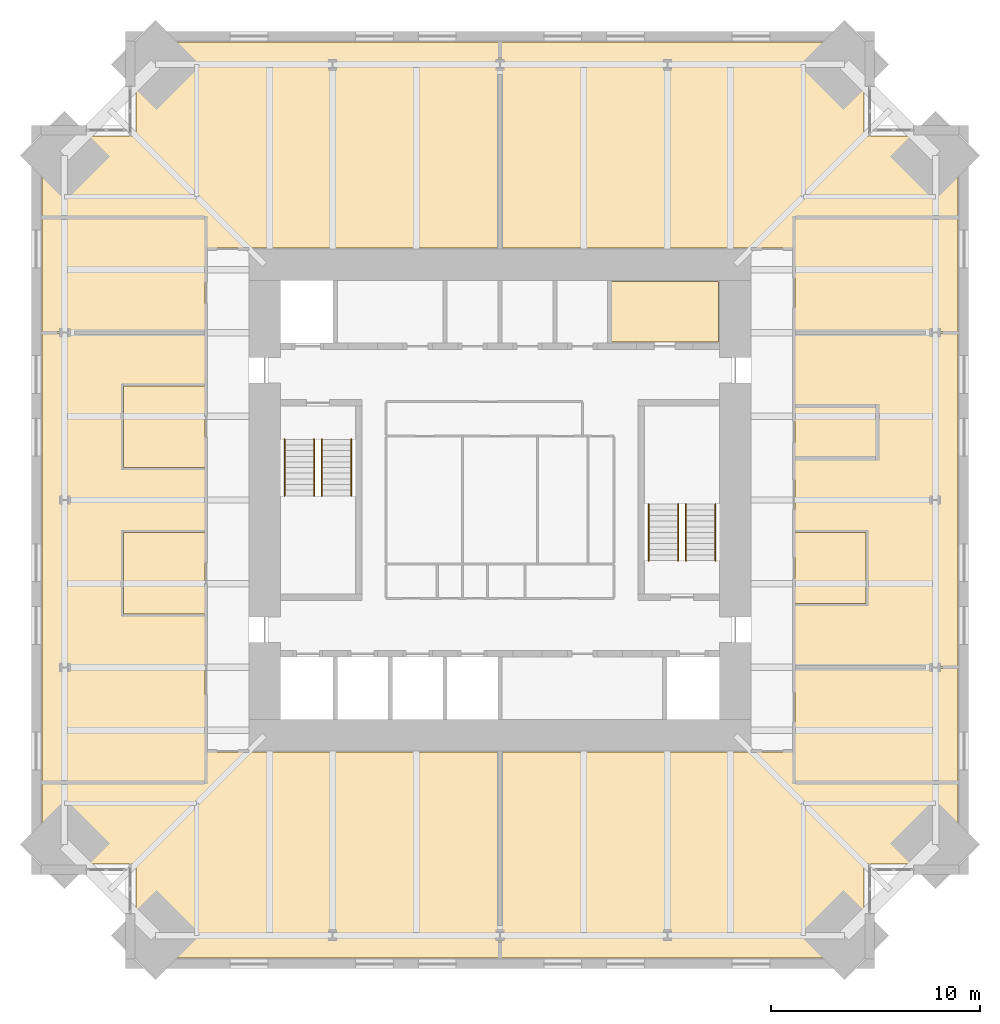
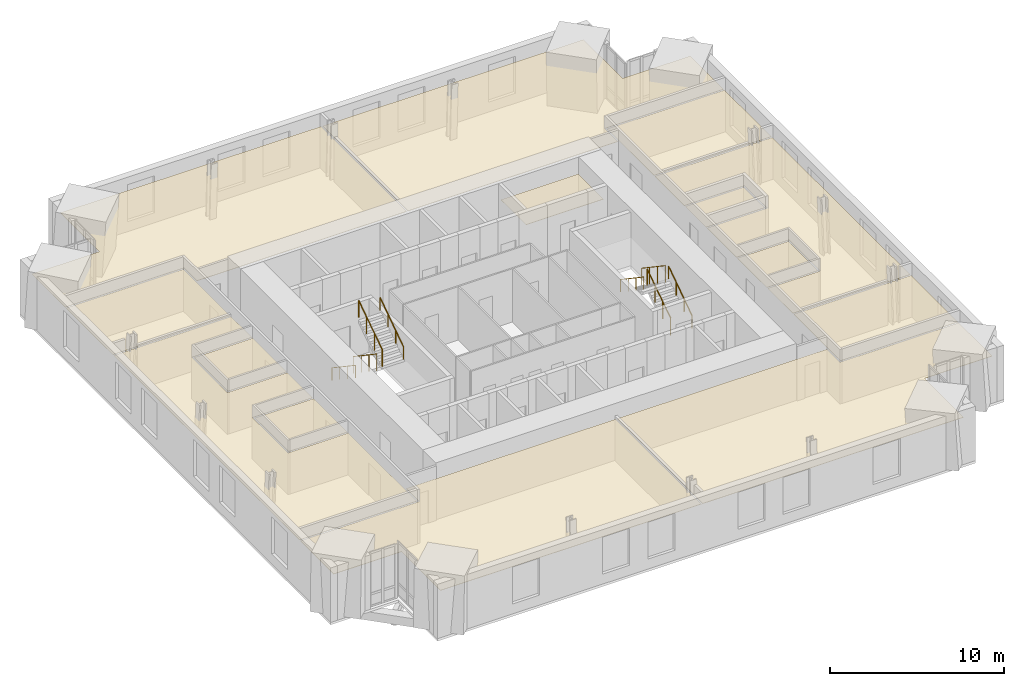
# One storey, part 18 of 18: 14 coverings, 8 railings.
"""IFC4 building model written with IfcOpenShell, lengths in metres."""

from ifc_helpers import new_model, si_unit, direction, frame, origin, origin_2d, place, context, subcontext, project, spatial, polyline, circle, outline, extrude, material, layer, layer_set, type_object, element, save


model = new_model("IFC4")

# Units and contexts
model_context = context("Model", 3, precision=1e-05, world=origin(), true_north=direction((0.0, 1.0)))
body_context = subcontext(model_context, "Body", "Model", "MODEL_VIEW")
ifc_project = project(units=[si_unit("LENGTHUNIT", "METRE"), si_unit("AREAUNIT", "SQUARE_METRE"), si_unit("VOLUMEUNIT", "CUBIC_METRE"), si_unit("PLANEANGLEUNIT", "RADIAN"), si_unit("MASSUNIT", "GRAM", prefix="KILO")], contexts=[model_context])

# Site, building, storey
site_placement = place(None, origin())
site = spatial("IfcSite", under=ifc_project, at=site_placement, CompositionType="ELEMENT")
building_placement = place(site_placement, origin())
building = spatial("IfcBuilding", under=site, at=building_placement, Name="Peilmerk Tower", CompositionType="ELEMENT")
storey_placement = place(building_placement, frame((0.0, 0.0, 249.800048828125)))
storey = spatial("IfcBuildingStorey", under=building, at=storey_placement, Name="L55", CompositionType="ELEMENT", Elevation=249.800048828125)

# Coverings
ifc_material_1 = material(Name="Mineral fibre ceiling tiles", Category="mineral")
ifc_layer = layer(ifc_material_1, 0.02490234375)
ifc_layer_set = layer_set([ifc_layer], Name="Mineral fibre ceiling tiles")
covering_type = type_object("IfcCoveringType", Name="CL1 25 suspended ceiling", PredefinedType="CEILING", material=ifc_layer_set)
covering_1_placement = place(storey_placement, frame((0.0, 0.0, 2.905029296875)))
element("IfcCovering", 1, at=covering_1_placement, inside=storey, type_object=covering_type, Name="Suspended ceiling Tenant suite", PredefinedType="CEILING", context=body_context, shape_type="SweptSolid", body=[
    extrude(outline(polyline([(-21.89990234375, 17.39990234375), (-21.89990234375, 13.550048828125), (-14.0, 13.550048828125), (-14.0, 12.050048828125), (-0.050048828125, 12.050048828125), (-0.050048828125, 21.89990234375), (-17.39990234375, 21.89990234375), (-17.39990234375, 17.39990234375), (-21.89990234375, 17.39990234375)])), origin(), (0.0, 0.0, 1.0), 0.02490234375),
])
covering_2_placement = place(storey_placement, frame((0.0, 0.0, 2.905029296875)))
element("IfcCovering", 2, at=covering_2_placement, inside=storey, type_object=covering_type, Name="Suspended ceiling Tenant suite", PredefinedType="CEILING", context=body_context, shape_type="SweptSolid", body=[
    extrude(outline(polyline([(17.39990234375, 21.89990234375), (0.050048828125, 21.89990234375), (0.050048828125, 12.050048828125), (14.0, 12.050048828125), (14.0, 13.550048828125), (21.89990234375, 13.550048828125), (21.89990234375, 17.39990234375), (17.39990234375, 17.39990234375), (17.39990234375, 21.89990234375)])), origin(), (0.0, 0.0, 1.0), 0.02490234375),
])
covering_3_placement = place(storey_placement, frame((0.0, 0.0, 2.905029296875)))
element("IfcCovering", 3, at=covering_3_placement, inside=storey, type_object=covering_type, Name="Suspended ceiling Tenant suite", PredefinedType="CEILING", context=body_context, shape_type="SweptSolid", body=[
    extrude(outline(polyline([(-17.39990234375, -21.89990234375), (-0.050048828125, -21.89990234375), (-0.050048828125, -12.050048828125), (-14.0, -12.050048828125), (-14.0, -13.550048828125), (-21.89990234375, -13.550048828125), (-21.89990234375, -17.39990234375), (-17.39990234375, -17.39990234375), (-17.39990234375, -21.89990234375)])), origin(), (0.0, 0.0, 1.0), 0.02490234375),
])
covering_4_placement = place(storey_placement, frame((0.0, 0.0, 2.905029296875)))
element("IfcCovering", 4, at=covering_4_placement, inside=storey, type_object=covering_type, Name="Suspended ceiling Tenant suite", PredefinedType="CEILING", context=body_context, shape_type="SweptSolid", body=[
    extrude(outline(polyline([(0.050048828125, -21.89990234375), (17.39990234375, -21.89990234375), (17.39990234375, -17.39990234375), (21.89990234375, -17.39990234375), (21.89990234375, -13.550048828125), (14.0, -13.550048828125), (14.0, -12.050048828125), (0.050048828125, -12.050048828125), (0.050048828125, -21.89990234375)])), origin(), (0.0, 0.0, 1.0), 0.02490234375),
])
covering_5_placement = place(storey_placement, frame((0.0, 0.0, 2.905029296875)))
element("IfcCovering", 5, at=covering_5_placement, inside=storey, type_object=covering_type, Name="Suspended ceiling Tenant suite", PredefinedType="CEILING", context=body_context, shape_type="SweptSolid", body=[
    extrude(outline(polyline([(21.89990234375, -13.449951171875), (21.89990234375, -8.050048828125), (14.10009765625, -8.050048828125), (14.10009765625, -13.449951171875), (21.89990234375, -13.449951171875)])), origin(), (0.0, 0.0, 1.0), 0.02490234375),
])
covering_6_placement = place(storey_placement, frame((0.0, 0.0, 2.905029296875)))
element("IfcCovering", 6, at=covering_6_placement, inside=storey, type_object=covering_type, Name="Suspended ceiling Tenant suite", PredefinedType="CEILING", context=body_context, shape_type="SweptSolid", body=[
    extrude(outline(polyline([(14.10009765625, -7.949951171875), (21.89990234375, -7.949951171875), (21.89990234375, 7.949951171875), (14.10009765625, 7.949951171875), (14.10009765625, 4.550048828125), (18.10009765625, 4.550048828125), (18.10009765625, 1.949951171875), (14.10009765625, 1.949951171875), (14.10009765625, -1.449951171875), (17.60009765625, -1.449951171875), (17.60009765625, -5.050048828125), (14.10009765625, -5.050048828125), (14.10009765625, -7.949951171875)])), origin(), (0.0, 0.0, 1.0), 0.02490234375),
])
covering_7_placement = place(storey_placement, frame((0.0, 0.0, 2.905029296875)))
element("IfcCovering", 7, at=covering_7_placement, inside=storey, type_object=covering_type, Name="Suspended ceiling Tenant suite", PredefinedType="CEILING", context=body_context, shape_type="SweptSolid", body=[
    extrude(outline(polyline([(21.89990234375, 8.050048828125), (21.89990234375, 13.449951171875), (14.10009765625, 13.449951171875), (14.10009765625, 8.050048828125), (21.89990234375, 8.050048828125)])), origin(), (0.0, 0.0, 1.0), 0.02490234375),
])
covering_8_placement = place(storey_placement, frame((0.0, 0.0, 2.905029296875)))
element("IfcCovering", 8, at=covering_8_placement, inside=storey, type_object=covering_type, Name="Suspended ceiling Pantry", PredefinedType="CEILING", context=body_context, shape_type="SweptSolid", body=[
    extrude(outline(polyline([(17.5, -4.949951171875), (17.5, -1.550048828125), (14.10009765625, -1.550048828125), (14.10009765625, -4.949951171875), (17.5, -4.949951171875)])), origin(), (0.0, 0.0, 1.0), 0.02490234375),
])
covering_9_placement = place(storey_placement, frame((0.0, 0.0, 2.905029296875)))
element("IfcCovering", 9, at=covering_9_placement, inside=storey, type_object=covering_type, Name="Suspended ceiling Print room", PredefinedType="CEILING", context=body_context, shape_type="SweptSolid", body=[
    extrude(outline(polyline([(18.0, 2.050048828125), (18.0, 4.449951171875), (14.10009765625, 4.449951171875), (14.10009765625, 2.050048828125), (18.0, 2.050048828125)])), origin(), (0.0, 0.0, 1.0), 0.02490234375),
])
covering_10_placement = place(storey_placement, frame((0.0, 0.0, 2.905029296875)))
element("IfcCovering", 10, at=covering_10_placement, inside=storey, type_object=covering_type, Name="Suspended ceiling Tenant suite", PredefinedType="CEILING", context=body_context, shape_type="SweptSolid", body=[
    extrude(outline(polyline([(-14.10009765625, 7.949951171875), (-21.89990234375, 7.949951171875), (-21.89990234375, -13.449951171875), (-14.10009765625, -13.449951171875), (-14.10009765625, -5.550048828125), (-18.10009765625, -5.550048828125), (-18.10009765625, -1.449951171875), (-14.10009765625, -1.449951171875), (-14.10009765625, 1.449951171875), (-18.10009765625, 1.449951171875), (-18.10009765625, 5.550048828125), (-14.10009765625, 5.550048828125), (-14.10009765625, 7.949951171875)])), origin(), (0.0, 0.0, 1.0), 0.02490234375),
])
covering_11_placement = place(storey_placement, frame((0.0, 0.0, 2.905029296875)))
element("IfcCovering", 11, at=covering_11_placement, inside=storey, type_object=covering_type, Name="Suspended ceiling Office", PredefinedType="CEILING", context=body_context, shape_type="SweptSolid", body=[
    extrude(outline(polyline([(-21.89990234375, 13.449951171875), (-21.89990234375, 8.050048828125), (-14.10009765625, 8.050048828125), (-14.10009765625, 13.449951171875), (-21.89990234375, 13.449951171875)])), origin(), (0.0, 0.0, 1.0), 0.02490234375),
])
covering_12_placement = place(storey_placement, frame((0.0, 0.0, 2.905029296875)))
element("IfcCovering", 12, at=covering_12_placement, inside=storey, type_object=covering_type, Name="Suspended ceiling Meeting room", PredefinedType="CEILING", context=body_context, shape_type="SweptSolid", body=[
    extrude(outline(polyline([(-14.10009765625, -5.449951171875), (-14.10009765625, -1.550048828125), (-18.0, -1.550048828125), (-18.0, -5.449951171875), (-14.10009765625, -5.449951171875)])), origin(), (0.0, 0.0, 1.0), 0.02490234375),
])
covering_13_placement = place(storey_placement, frame((0.0, 0.0, 2.905029296875)))
element("IfcCovering", 13, at=covering_13_placement, inside=storey, type_object=covering_type, Name="Suspended ceiling Meeting room", PredefinedType="CEILING", context=body_context, shape_type="SweptSolid", body=[
    extrude(outline(polyline([(-14.10009765625, 1.550048828125), (-14.10009765625, 5.449951171875), (-18.0, 5.449951171875), (-18.0, 1.550048828125), (-14.10009765625, 1.550048828125)])), origin(), (0.0, 0.0, 1.0), 0.02490234375),
])
covering_14_placement = place(storey_placement, frame((0.0, 0.0, 2.824951171875)))
element("IfcCovering", 14, at=covering_14_placement, inside=storey, type_object=covering_type, Name="Suspended ceiling Pantry", PredefinedType="CEILING", context=body_context, shape_type="SweptSolid", body=[
    extrude(outline(polyline([(10.448974609375, 7.551025390625), (10.448974609375, 10.448974609375), (5.301025390625, 10.448974609375), (5.301025390625, 7.551025390625), (10.448974609375, 7.551025390625)])), origin(), (0.0, 0.0, 1.0), 0.02490234375),
])

# Railings
ifc_material_2 = material(Name="Steel flat bar balustrade", Category="steel")
railing_type_1 = type_object("IfcRailingType", Name="GR1 1200 stair guard", PredefinedType="GUARDRAIL", material=ifc_material_2)
railing_1_placement = place(storey_placement, frame((-8.8798828125, 2.89990234375, 0.181884765625)))
element("IfcRailing", 15, at=railing_1_placement, inside=storey, type_object=railing_type_1, Name="Guard stair 1 L55", PredefinedType="GUARDRAIL", context=body_context, shape_type="SweptSolid", body=[
    extrude(circle(Radius=0.02392578125, at=origin_2d()), frame((0.0, 0.0, 1.17578125), z_axis=(0.0, -0.829468130872, 0.55855404382), x_axis=(1.0, 0.0, 0.0)), (0.0, 0.0, 1.0), 3.255126953125),
    extrude(circle(Radius=0.02099609375, at=origin_2d()), origin(), (0.0, 0.0, 1.0), 1.15185546875),
    extrude(circle(Radius=0.02099609375, at=origin_2d()), frame((0.0, -0.89990234375, 0.60595703125)), (0.0, 0.0, 1.0), 1.15185546875),
    extrude(circle(Radius=0.02099609375, at=origin_2d()), frame((0.0, -1.800048828125, 1.212158203125)), (0.0, 0.0, 1.0), 1.15185546875),
    extrude(circle(Radius=0.02099609375, at=origin_2d()), frame((0.0, -2.699951171875, 1.818115234375)), (0.0, 0.0, 1.0), 1.15185546875),
])
for number, where, name in (
    (16, (-8.52001953125, 0.199951171875, 2.181884765625), "Guard stair 1 L55"),
    (17, (8.8798828125, -2.89990234375, 0.181884765625), "Guard stair 2 L55"),
):
    element("IfcRailing", number, at=place(storey_placement, frame(where)), inside=storey, type_object=railing_type_1, Name=name, PredefinedType="GUARDRAIL", context=body_context, shape_type="SweptSolid", body=[
        extrude(circle(Radius=0.02392578125, at=origin_2d()), frame((0.0, 0.0, 1.17578125), z_axis=(0.0, 0.829468130872, 0.55855404382), x_axis=(-1.0, 0.0, 0.0)), (0.0, 0.0, 1.0), 3.255126953125),
        extrude(circle(Radius=0.02099609375, at=origin_2d()), origin(), (0.0, 0.0, 1.0), 1.15185546875),
        extrude(circle(Radius=0.02099609375, at=origin_2d()), frame((0.0, 0.89990234375, 0.60595703125)), (0.0, 0.0, 1.0), 1.15185546875),
        extrude(circle(Radius=0.02099609375, at=origin_2d()), frame((0.0, 1.800048828125, 1.212158203125)), (0.0, 0.0, 1.0), 1.15185546875),
        extrude(circle(Radius=0.02099609375, at=origin_2d()), frame((0.0, 2.699951171875, 1.818115234375)), (0.0, 0.0, 1.0), 1.15185546875),
    ])
railing_2_placement = place(storey_placement, frame((8.52001953125, -0.199951171875, 2.181884765625)))
element("IfcRailing", 18, at=railing_2_placement, inside=storey, type_object=railing_type_1, Name="Guard stair 2 L55", PredefinedType="GUARDRAIL", context=body_context, shape_type="SweptSolid", body=[
    extrude(circle(Radius=0.02392578125, at=origin_2d()), frame((0.0, 0.0, 1.17578125), z_axis=(0.0, -0.829468130872, 0.55855404382), x_axis=(1.0, 0.0, 0.0)), (0.0, 0.0, 1.0), 3.255126953125),
    extrude(circle(Radius=0.02099609375, at=origin_2d()), origin(), (0.0, 0.0, 1.0), 1.15185546875),
    extrude(circle(Radius=0.02099609375, at=origin_2d()), frame((0.0, -0.89990234375, 0.60595703125)), (0.0, 0.0, 1.0), 1.15185546875),
    extrude(circle(Radius=0.02099609375, at=origin_2d()), frame((0.0, -1.800048828125, 1.212158203125)), (0.0, 0.0, 1.0), 1.15185546875),
    extrude(circle(Radius=0.02099609375, at=origin_2d()), frame((0.0, -2.699951171875, 1.818115234375)), (0.0, 0.0, 1.0), 1.15185546875),
])
ifc_material_3 = material(Name="Stainless steel tube", Category="steel")
railing_type_2 = type_object("IfcRailingType", Name="HR1 900 stair handrail", PredefinedType="HANDRAIL", material=ifc_material_3)
railing_3_placement = place(storey_placement, frame((-10.300048828125, 2.89990234375, 0.181884765625)))
element("IfcRailing", 19, at=railing_3_placement, inside=storey, type_object=railing_type_2, Name="Handrail stair 1 L55", PredefinedType="HANDRAIL", context=body_context, shape_type="SweptSolid", body=[
    extrude(circle(Radius=0.02392578125, at=origin_2d()), frame((0.0, 0.0, 0.8759765625), z_axis=(0.0, -0.829468130872, 0.55855404382), x_axis=(1.0, 0.0, 0.0)), (0.0, 0.0, 1.0), 3.255126953125),
    extrude(circle(Radius=0.02099609375, at=origin_2d()), origin(), (0.0, 0.0, 1.0), 0.851806640625),
    extrude(circle(Radius=0.02099609375, at=origin_2d()), frame((0.0, -0.89990234375, 0.60595703125)), (0.0, 0.0, 1.0), 0.851806640625),
    extrude(circle(Radius=0.02099609375, at=origin_2d()), frame((0.0, -1.800048828125, 1.212158203125)), (0.0, 0.0, 1.0), 0.851806640625),
    extrude(circle(Radius=0.02099609375, at=origin_2d()), frame((0.0, -2.699951171875, 1.818115234375)), (0.0, 0.0, 1.0), 0.851806640625),
])
for number, where, name in (
    (20, (-7.10009765625, 0.199951171875, 2.181884765625), "Handrail stair 1 L55"),
    (21, (10.300048828125, -2.89990234375, 0.181884765625), "Handrail stair 2 L55"),
):
    element("IfcRailing", number, at=place(storey_placement, frame(where)), inside=storey, type_object=railing_type_2, Name=name, PredefinedType="HANDRAIL", context=body_context, shape_type="SweptSolid", body=[
        extrude(circle(Radius=0.02392578125, at=origin_2d()), frame((0.0, 0.0, 0.8759765625), z_axis=(0.0, 0.829468130872, 0.55855404382), x_axis=(-1.0, 0.0, 0.0)), (0.0, 0.0, 1.0), 3.255126953125),
        extrude(circle(Radius=0.02099609375, at=origin_2d()), origin(), (0.0, 0.0, 1.0), 0.851806640625),
        extrude(circle(Radius=0.02099609375, at=origin_2d()), frame((0.0, 0.89990234375, 0.60595703125)), (0.0, 0.0, 1.0), 0.851806640625),
        extrude(circle(Radius=0.02099609375, at=origin_2d()), frame((0.0, 1.800048828125, 1.212158203125)), (0.0, 0.0, 1.0), 0.851806640625),
        extrude(circle(Radius=0.02099609375, at=origin_2d()), frame((0.0, 2.699951171875, 1.818115234375)), (0.0, 0.0, 1.0), 0.851806640625),
    ])
railing_4_placement = place(storey_placement, frame((7.10009765625, -0.199951171875, 2.181884765625)))
element("IfcRailing", 22, at=railing_4_placement, inside=storey, type_object=railing_type_2, Name="Handrail stair 2 L55", PredefinedType="HANDRAIL", context=body_context, shape_type="SweptSolid", body=[
    extrude(circle(Radius=0.02392578125, at=origin_2d()), frame((0.0, 0.0, 0.8759765625), z_axis=(0.0, -0.829468130872, 0.55855404382), x_axis=(1.0, 0.0, 0.0)), (0.0, 0.0, 1.0), 3.255126953125),
    extrude(circle(Radius=0.02099609375, at=origin_2d()), origin(), (0.0, 0.0, 1.0), 0.851806640625),
    extrude(circle(Radius=0.02099609375, at=origin_2d()), frame((0.0, -0.89990234375, 0.60595703125)), (0.0, 0.0, 1.0), 0.851806640625),
    extrude(circle(Radius=0.02099609375, at=origin_2d()), frame((0.0, -1.800048828125, 1.212158203125)), (0.0, 0.0, 1.0), 0.851806640625),
    extrude(circle(Radius=0.02099609375, at=origin_2d()), frame((0.0, -2.699951171875, 1.818115234375)), (0.0, 0.0, 1.0), 0.851806640625),
])

save(model, "model.ifc")
